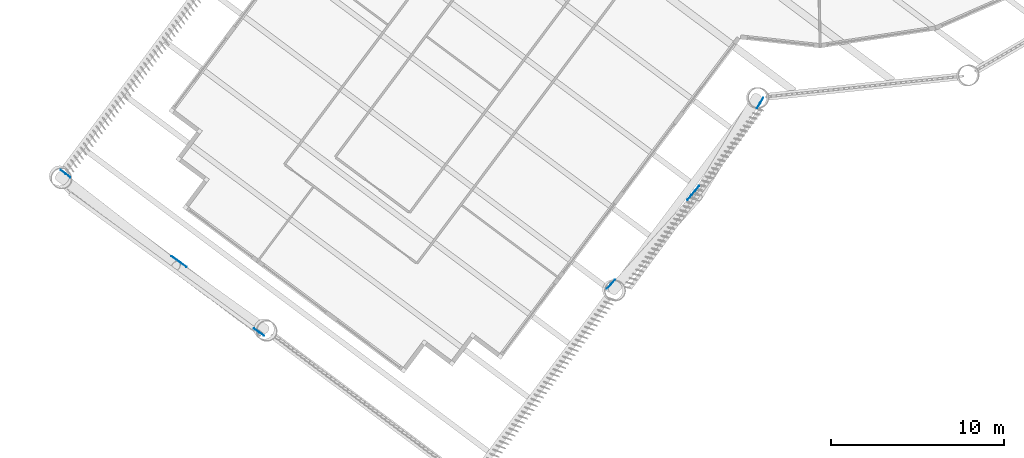
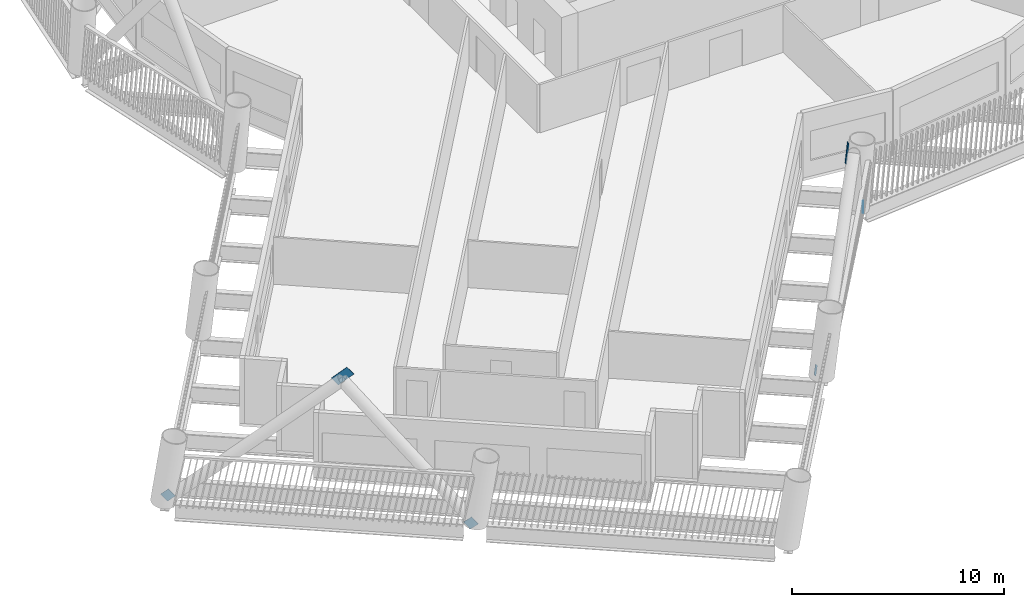
# One storey, part 9 of 22: 6 discrete accessories.
"""IFC4 building model written with IfcOpenShell, lengths in metres."""

from ifc_helpers import new_model, si_unit, direction, frame, origin, origin_2d, place, context, subcontext, project, spatial, rectangle, extrude, material, material_profile, profile_set, type_object, element, save


model = new_model("IFC4")

# Units and contexts
model_context = context("Model", 3, precision=1e-05, world=origin(), true_north=direction((0.0, 1.0)))
body_context = subcontext(model_context, "Body", "Model", "MODEL_VIEW")
ifc_project = project(units=[si_unit("LENGTHUNIT", "METRE"), si_unit("AREAUNIT", "SQUARE_METRE"), si_unit("VOLUMEUNIT", "CUBIC_METRE"), si_unit("PLANEANGLEUNIT", "RADIAN"), si_unit("MASSUNIT", "GRAM", prefix="KILO")], contexts=[model_context])

# Site, building, storey
site_placement = place(None, origin())
site = spatial("IfcSite", under=ifc_project, at=site_placement, CompositionType="ELEMENT")
building_placement = place(site_placement, origin())
building = spatial("IfcBuilding", under=site, at=building_placement, Name="Tarsis Ring Headquarters", CompositionType="ELEMENT")
storey_placement = place(building_placement, frame((0.0, 0.0, 40.0)))
storey = spatial("IfcBuildingStorey", under=building, at=storey_placement, Name="L07", CompositionType="ELEMENT", Elevation=40.0)

# Discrete accessories
ifc_material = material(Name="Structural steel S355", Category="steel")
ifc_material_profile = material_profile(ifc_material, rectangle(XDim=0.02490234375, YDim=0.5, at=origin_2d()), Name="PL 25x500")
ifc_profile_set = profile_set([ifc_material_profile], Name="Structural steel S355")
discrete_accessory_type = type_object("IfcDiscreteAccessoryType", Name="Gusset plate Exo brace 25", PredefinedType="BRACKET", material=ifc_profile_set)
discrete_accessory_1_placement = place(storey_placement, frame((-43.284912109375, -33.162353515625, 0.0), z_axis=(0.582646164822, -0.451269954984, 0.675928157682), x_axis=(0.61233357331, 0.790599516189, 0.0)))
element("IfcDiscreteAccessory", 1, at=discrete_accessory_1_placement, inside=storey, type_object=discrete_accessory_type, Name="Gusset plate GP5", PredefinedType="BRACKET", context=body_context, shape_type="SweptSolid", body=[
    extrude(rectangle(XDim=0.02490234375, YDim=0.5, at=origin_2d()), origin(), (0.0, 0.0, 1.0), 0.5),
])
discrete_accessory_2_placement = place(storey_placement, frame((-36.86865234375, -38.151611328125, 7.462158203125), z_axis=(0.599889755644, -0.428248527228, 0.675822077177), x_axis=(0.581018828998, 0.813890115648, 0.0)))
element("IfcDiscreteAccessory", 2, at=discrete_accessory_2_placement, inside=storey, type_object=discrete_accessory_type, Name="Gusset plate GP5", PredefinedType="BRACKET", context=body_context, shape_type="SweptSolid", body=[
    extrude(rectangle(XDim=0.02490234375, YDim=0.5, at=origin_2d()), origin(), (0.0, 0.0, 1.0), 1.0),
])
for number, where, z_axis, x_axis, name in (
    (3, (-31.812744140625, -42.536865234375, 0.0), (-0.511275755729, 0.364290080013, 0.778389259438), (-0.580281238392, -0.814416161658, 0.0), "Gusset plate GP5"),
    (4, (-11.685546875, -39.7998046875, 0.0), (0.457503715302, 0.50779494548, 0.729955234127), (-0.742938832715, 0.669359313706, 0.0), "Gusset plate GP5"),
):
    element("IfcDiscreteAccessory", number, at=place(storey_placement, frame(where, z_axis=z_axis, x_axis=x_axis)), inside=storey, type_object=discrete_accessory_type, Name=name, PredefinedType="BRACKET", context=body_context, shape_type="SweptSolid", body=[
        extrude(rectangle(XDim=0.02490234375, YDim=0.5, at=origin_2d()), origin(), (0.0, 0.0, 1.0), 0.5),
    ])
discrete_accessory_3_placement = place(storey_placement, frame((-7.025146484375, -34.651123046875, 7.4345703125), z_axis=(0.435990759594, 0.525093014494, 0.730882605949), x_axis=(-0.769363448326, 0.63881130577, 0.0)))
element("IfcDiscreteAccessory", 5, at=discrete_accessory_3_placement, inside=storey, type_object=discrete_accessory_type, Name="Gusset plate GP5", PredefinedType="BRACKET", context=body_context, shape_type="SweptSolid", body=[
    extrude(rectangle(XDim=0.02490234375, YDim=0.5, at=origin_2d()), origin(), (0.0, 0.0, 1.0), 1.0),
])
discrete_accessory_4_placement = place(storey_placement, frame((-2.850341796875, -29.0439453125, 0.0), z_axis=(-0.3353886923, -0.556540188095, 0.760116730583), x_axis=(0.856496939149, -0.516152102803, 0.0)))
element("IfcDiscreteAccessory", 6, at=discrete_accessory_4_placement, inside=storey, type_object=discrete_accessory_type, Name="Gusset plate GP5", PredefinedType="BRACKET", context=body_context, shape_type="SweptSolid", body=[
    extrude(rectangle(XDim=0.02490234375, YDim=0.5, at=origin_2d()), origin(), (0.0, 0.0, 1.0), 0.5),
])

save(model, "model.ifc")
